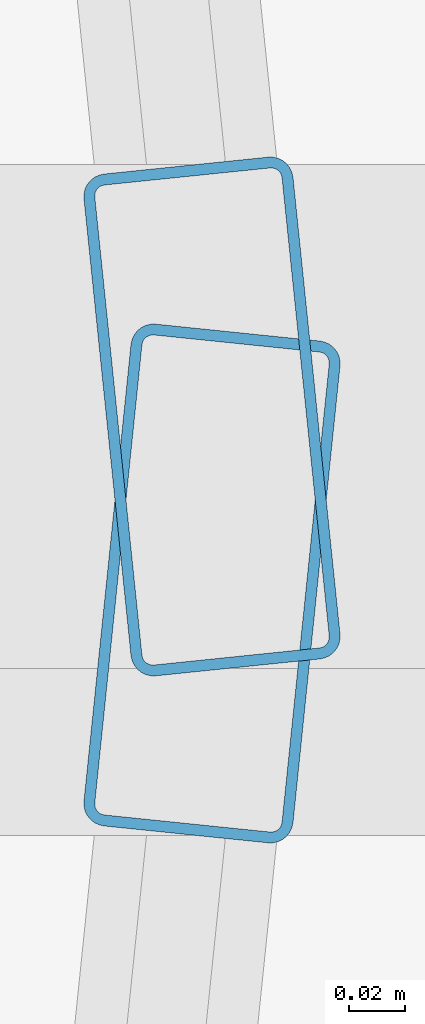
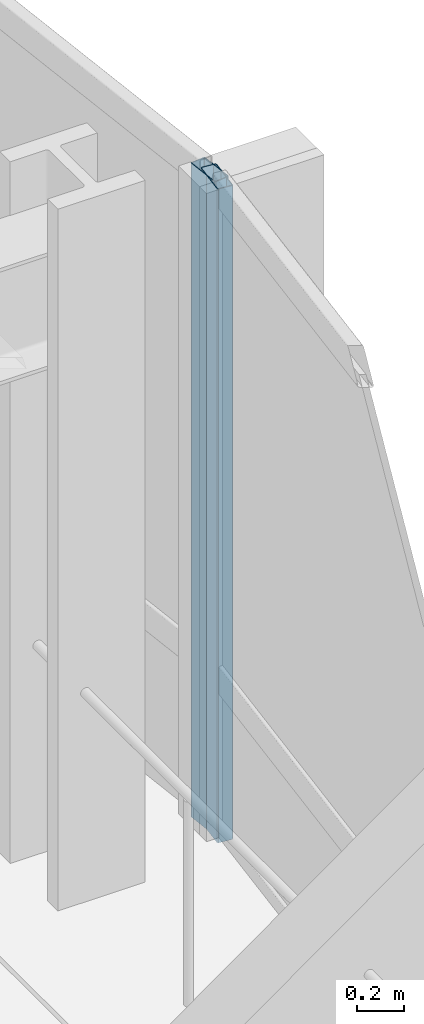
# One storey, part 25 of 34: 2 members, 2 elements without a shape of their own.
"""IFC4 building model written with IfcOpenShell, lengths in metres."""

from ifc_helpers import new_model, si_unit, direction, frame, origin, origin_2d, place, context, subcontext, project, spatial, hollow_rectangle, extrude, material, layer, layer_set, material_profile, profile_set, type_object, element, aggregate, save


model = new_model("IFC4")

# Units and contexts
model_context = context("Model", 3, precision=1e-05, world=origin(), true_north=direction((0.0, 1.0)))
body_context = subcontext(model_context, "Body", "Model", "MODEL_VIEW")
ifc_project = project(units=[si_unit("LENGTHUNIT", "METRE"), si_unit("AREAUNIT", "SQUARE_METRE"), si_unit("VOLUMEUNIT", "CUBIC_METRE"), si_unit("PLANEANGLEUNIT", "RADIAN"), si_unit("MASSUNIT", "GRAM", prefix="KILO")], contexts=[model_context])

# Site, building, storey
site_placement = place(None, origin())
site = spatial("IfcSite", under=ifc_project, at=site_placement, CompositionType="ELEMENT")
building_placement = place(site_placement, origin())
building = spatial("IfcBuilding", under=site, at=building_placement, Name="Solvaryn Broadcast Tower", CompositionType="ELEMENT")
storey_placement = place(building_placement, frame((0.0, 0.0, 43.39990234375)))
storey = spatial("IfcBuildingStorey", under=building, at=storey_placement, Name="L09", CompositionType="ELEMENT", Elevation=43.39990234375)

# Curtain wall, member
ifc_material_1 = material(Name="Aluminium and Terracotta Unitised Curtain Wall", Category="masonry")
ifc_layer = layer(ifc_material_1, 0.199951171875)
ifc_layer_set = layer_set([ifc_layer], Name="CW-SYS2-LOWMID")
curtain_wall_type = type_object("IfcCurtainWallType", Name="CW-SYS2-LOWMID", PredefinedType="NOTDEFINED", material=ifc_layer_set)
curtain_wall_1_placement = place(storey_placement, origin())
curtain_wall_1 = element("IfcCurtainWall", 1, at=curtain_wall_1_placement, inside=storey, type_object=curtain_wall_type, Name="L09 Curtain Wall ET1", PredefinedType="NOTDEFINED")
ifc_material_2 = material(Name="Anodised Aluminium 6063-T6", Category="aluminium")
ifc_material_profile = material_profile(ifc_material_2, hollow_rectangle(XDim=0.074951171875, YDim=0.179931640625, WallThickness=0.00390625, InnerFilletRadius=0.00390625, OuterFilletRadius=0.008056640625, at=origin_2d()))
ifc_profile_set = profile_set([ifc_material_profile], Name="Anodised Aluminium 6063-T6")
member_type = type_object("IfcMemberType", Name="CW-MUL-180", PredefinedType="MULLION", material=ifc_profile_set)
member_1_placement = place(storey_placement, frame((63.697021484375, 18.02978515625, 0.0), z_axis=(0.0, 0.0, 1.0), x_axis=(0.99474329889, 0.10240004548, 0.0)))
member_1 = element("IfcMember", 2, at=member_1_placement, type_object=member_type, Name="CWS2 mullion 2", PredefinedType="MULLION", context=body_context, shape_type="SweptSolid", body=[
    extrude(hollow_rectangle(XDim=0.074951171875, YDim=0.179931640625, WallThickness=0.00390625, InnerFilletRadius=0.00390625, OuterFilletRadius=0.008056640625, at=origin_2d()), origin(), (0.0, 0.0, 1.0), 3.420166015625),
])
aggregate(curtain_wall_1, [member_1])

curtain_wall_2_placement = place(storey_placement, origin())
curtain_wall_2 = element("IfcCurtainWall", 3, at=curtain_wall_2_placement, inside=storey, type_object=curtain_wall_type, Name="L09 Curtain Wall ET2", PredefinedType="NOTDEFINED")
member_2_placement = place(storey_placement, frame((63.697021484375, 17.97021484375, 0.0), z_axis=(0.0, 0.0, 1.0), x_axis=(0.99474329889, -0.10240004548, 0.0)))
member_2 = element("IfcMember", 4, at=member_2_placement, type_object=member_type, Name="CWS2 mullion 1", PredefinedType="MULLION", context=body_context, shape_type="SweptSolid", body=[
    extrude(hollow_rectangle(XDim=0.074951171875, YDim=0.179931640625, WallThickness=0.00390625, InnerFilletRadius=0.00390625, OuterFilletRadius=0.008056640625, at=origin_2d()), origin(), (0.0, 0.0, 1.0), 3.420166015625),
])
aggregate(curtain_wall_2, [member_2])

save(model, "model.ifc")
